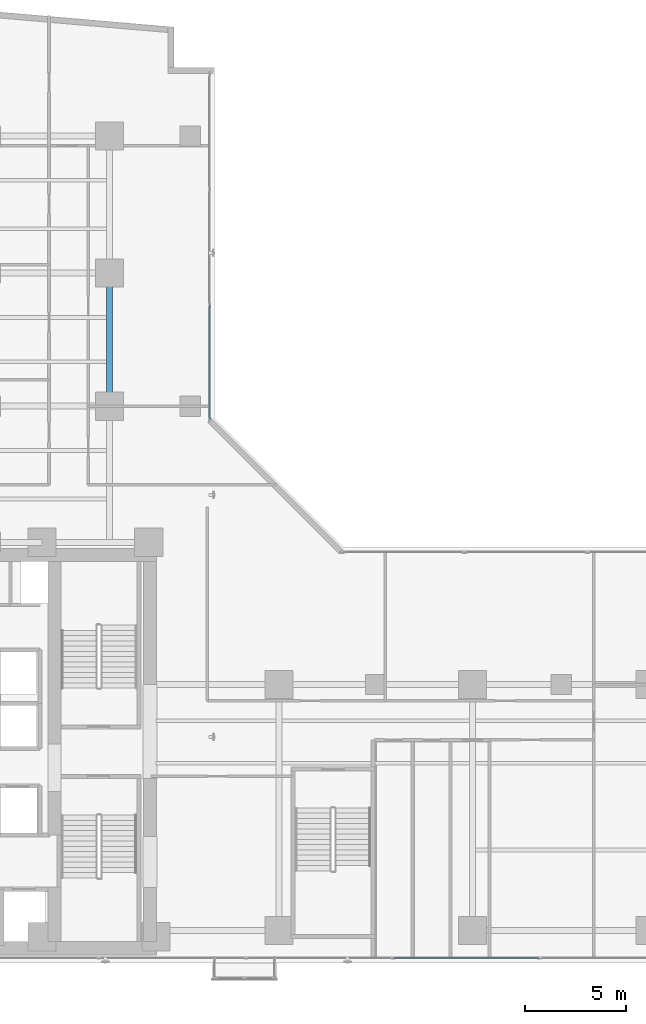
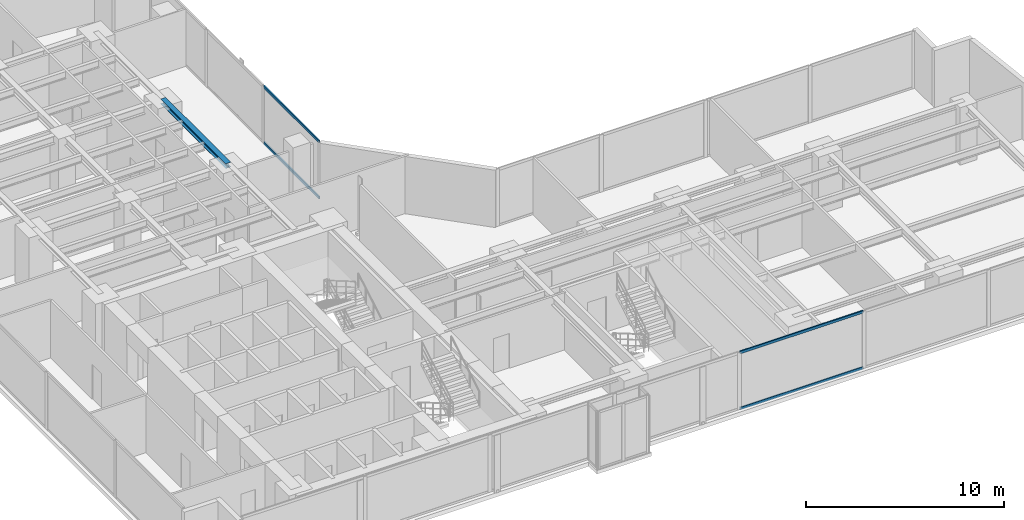
# One storey, part 10 of 24: 4 members, 1 beam, 2 elements without a shape of their own.
"""IFC4 building model written with IfcOpenShell, lengths in metres."""

from ifc_helpers import new_model, si_unit, direction, frame, origin, origin_with_axes, origin_2d, place, context, subcontext, project, spatial, hollow_rectangle, i_section, extrude, source, transform, mapped, material, layer, layer_set, material_profile, profile_set, type_object, element, aggregate, save


model = new_model("IFC4")

# Units and contexts
model_context = context("Model", 3, precision=1e-05, world=origin(), true_north=direction((0.0, 1.0)))
body_context = subcontext(model_context, "Body", "Model", "MODEL_VIEW")
ifc_project = project(units=[si_unit("LENGTHUNIT", "METRE"), si_unit("AREAUNIT", "SQUARE_METRE"), si_unit("VOLUMEUNIT", "CUBIC_METRE"), si_unit("PLANEANGLEUNIT", "RADIAN"), si_unit("MASSUNIT", "GRAM", prefix="KILO")], contexts=[model_context])

# Site, building, storey
site_placement = place(None, origin())
site = spatial("IfcSite", under=ifc_project, at=site_placement, CompositionType="ELEMENT")
building_placement = place(site_placement, origin())
building = spatial("IfcBuilding", under=site, at=building_placement, Name="Kolvaren Waterfront Exchange", CompositionType="ELEMENT")
storey_placement = place(building_placement, frame((0.0, 0.0, 91.699951171875)))
storey = spatial("IfcBuildingStorey", under=building, at=storey_placement, Name="L23", CompositionType="ELEMENT", Elevation=91.699951171875)

# Beam
ifc_material_1 = material(Name="Steel S355", Category="steel")
ifc_material_profile_1 = material_profile(ifc_material_1, i_section(OverallWidth=0.300048828125, OverallDepth=0.300048828125, WebThickness=0.010986328125, FlangeThickness=0.01904296875, FilletRadius=0.027099609375, at=origin_2d()), Name="HEB300")
ifc_profile_set_1 = profile_set([ifc_material_profile_1], Name="Steel S355")
beam_type = type_object("IfcBeamType", Name="STR-BM-HEB300", PredefinedType="SPANDREL", material=ifc_profile_set_1)
beam_placement = place(storey_placement, frame((18.800048828125, 31.199951171875, 3.39013671875), z_axis=(0.0, 1.0, 0.0), x_axis=(-1.0, 0.0, 0.0)))
element("IfcBeam", 1, at=beam_placement, inside=storey, type_object=beam_type, Name="L23 north-arm edge beam 2", PredefinedType="SPANDREL", context=body_context, shape_type="SweptSolid", body=[
    extrude(i_section(OverallWidth=0.300048828125, OverallDepth=0.300048828125, WebThickness=0.010986328125, FlangeThickness=0.01904296875, FilletRadius=0.027099609375, at=origin_2d()), origin(), (0.0, 0.0, 1.0), 6.60009765625),
])

# Curtain wall, members
ifc_material_2 = material(Name="Anodised bronze aluminium 6063-T6", Category="aluminium")
ifc_layer = layer(ifc_material_2, 0.219970703125, Name="Anodised bronze aluminium 6063-T6")
ifc_layer_set = layer_set([ifc_layer], Name="Anodised bronze aluminium 6063-T6")
curtain_wall_type = type_object("IfcCurtainWallType", Name="ARC-CW-SYS1", PredefinedType="USERDEFINED", material=ifc_layer_set)
curtain_wall_1_placement = place(storey_placement, origin())
curtain_wall_1 = element("IfcCurtainWall", 2, at=curtain_wall_1_placement, inside=storey, type_object=curtain_wall_type, Name="L23 stick curtain wall CW1 (CW-L23-NE)", ObjectType="STICK CURTAIN WALL", PredefinedType="USERDEFINED")
ifc_material_3 = material(Name="Anodised aluminium 6063-T6", Category="aluminium")
ifc_material_profile_2 = material_profile(ifc_material_3, hollow_rectangle(XDim=0.074951171875, YDim=0.159912109375, WallThickness=0.00439453125, at=origin_2d()), Name="ALU-TRN-160x75x4.5")
ifc_profile_set_2 = profile_set([ifc_material_profile_2], Name="Anodised aluminium 6063-T6")
member_type = type_object("IfcMemberType", Name="ARC-CWT-160", PredefinedType="USERDEFINED", material=ifc_profile_set_2)
shared_shape_1 = source(origin_with_axes(), body_context, "Body", "SweptSolid", [
    extrude(hollow_rectangle(XDim=0.074951171875, YDim=0.159912109375, WallThickness=0.00439453125, at=origin_2d()), origin(), (0.0, 0.0, 1.0), 5.61669921875),
])
member_1_placement = place(storey_placement, frame((23.760009765625, 30.570068359375, 0.03759765625), z_axis=(0.0, 1.0, 0.0), x_axis=(-1.0, 0.0, 0.0)))
member_1 = element("IfcMember", 3, at=member_1_placement, type_object=member_type, Name="CW1 transom 1.1", ObjectType="TRANSOM", PredefinedType="USERDEFINED", context=body_context, shape_type="MappedRepresentation", body=[
    mapped(shared_shape_1, transform((0.0, 0.0, 0.0), x_axis=(1.0, 0.0, 0.0), y_axis=(0.0, 1.0, 0.0), z_axis=(0.0, 0.0, 1.0), scale=1.0)),
])
member_2_placement = place(storey_placement, frame((23.760009765625, 30.570068359375, 3.50244140625), z_axis=(0.0, 1.0, 0.0), x_axis=(-1.0, 0.0, 0.0)))
member_2 = element("IfcMember", 4, at=member_2_placement, type_object=member_type, Name="CW1 transom 1.2", ObjectType="TRANSOM", PredefinedType="USERDEFINED", context=body_context, shape_type="MappedRepresentation", body=[
    mapped(shared_shape_1, transform((0.0, 0.0, 0.0), x_axis=(1.0, 0.0, 0.0), y_axis=(0.0, 1.0, 0.0), z_axis=(0.0, 0.0, 1.0), scale=1.0)),
])
aggregate(curtain_wall_1, [member_1, member_2])

curtain_wall_2_placement = place(storey_placement, origin())
curtain_wall_2 = element("IfcCurtainWall", 5, at=curtain_wall_2_placement, inside=storey, type_object=curtain_wall_type, Name="L23 stick curtain wall CW1 (CW-L23-S)", ObjectType="STICK CURTAIN WALL", PredefinedType="USERDEFINED")
shared_shape_2 = source(origin_with_axes(), body_context, "Body", "SweptSolid", [
    extrude(hollow_rectangle(XDim=0.074951171875, YDim=0.159912109375, WallThickness=0.00439453125, at=origin_2d()), origin(), (0.0, 0.0, 1.0), 7.205810546875),
])
member_3_placement = place(storey_placement, frame((32.8828125, 3.840087890625, 0.03759765625), z_axis=(1.0, 0.0, 0.0), x_axis=(0.0, 1.0, 0.0)))
member_3 = element("IfcMember", 6, at=member_3_placement, type_object=member_type, Name="CW1 transom 5.1", ObjectType="TRANSOM", PredefinedType="USERDEFINED", context=body_context, shape_type="MappedRepresentation", body=[
    mapped(shared_shape_2, transform((0.0, 0.0, 0.0), x_axis=(1.0, 0.0, 0.0), y_axis=(0.0, 1.0, 0.0), z_axis=(0.0, 0.0, 1.0), scale=1.0)),
])
member_4_placement = place(storey_placement, frame((32.8828125, 3.840087890625, 3.50244140625), z_axis=(1.0, 0.0, 0.0), x_axis=(0.0, 1.0, 0.0)))
member_4 = element("IfcMember", 7, at=member_4_placement, type_object=member_type, Name="CW1 transom 5.2", ObjectType="TRANSOM", PredefinedType="USERDEFINED", context=body_context, shape_type="MappedRepresentation", body=[
    mapped(shared_shape_2, transform((0.0, 0.0, 0.0), x_axis=(1.0, 0.0, 0.0), y_axis=(0.0, 1.0, 0.0), z_axis=(0.0, 0.0, 1.0), scale=1.0)),
])
aggregate(curtain_wall_2, [member_3, member_4])

save(model, "model.ifc")
